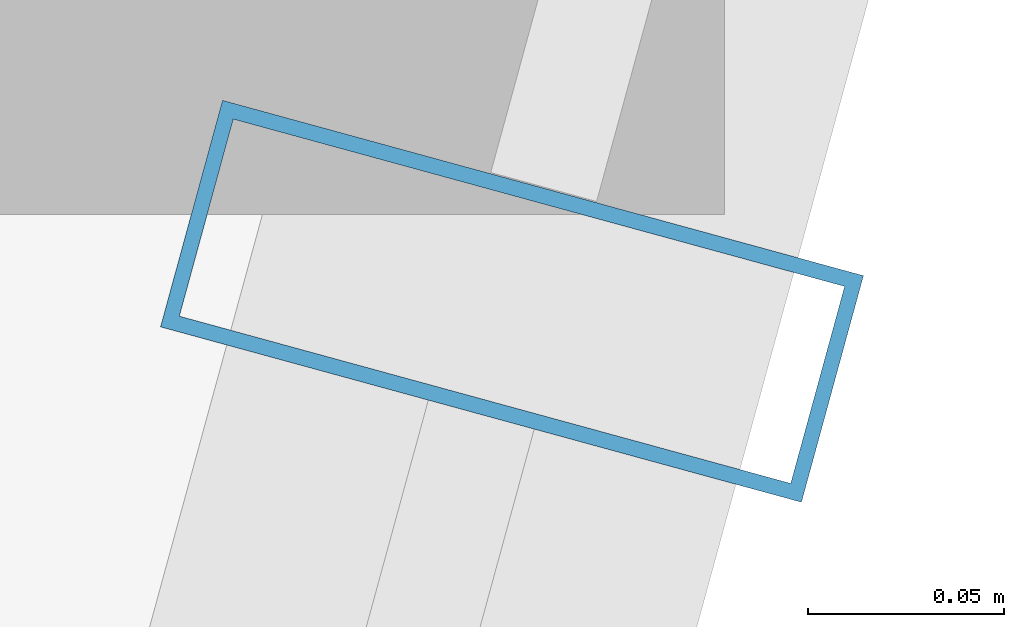
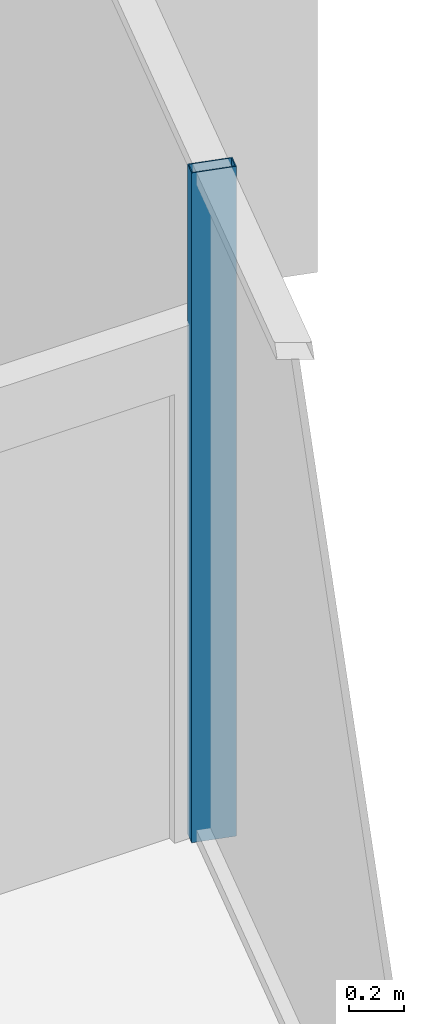
# One storey, part 17 of 39: 1 member, 1 element without a shape of its own.
"""IFC4 building model written with IfcOpenShell, lengths in metres."""

import ifcopenshell
import ifcopenshell.guid

model = None  # the IFC model being written
_history = None  # IfcOwnerHistory: only IFC2X3 demands one
_inside = {}  # id of a spatial element -> (the spatial element, [elements in it])
_under = {}  # id of a project, library or spatial element -> (it, [spatial elements below it])
_declared = {}  # id of a project -> (the project, [libraries it declares])
_typed = {}  # id of a type object -> (the type object, [elements of that type])
_made_of = {}  # id of a material, layer set ... -> (it, [elements and type objects made of it])


def new_model(schema):
    """Start an empty IFC model of exactly this schema.

    Asked for "IFC4X3", IfcOpenShell would pick the latest addendum, in which some entities
    have other attributes; the version numbers below select the first issue.
    IFC2X3 requires an IfcOwnerHistory on every rooted entity: one is made here for all.
    """
    global model, _history
    if schema == "IFC4X3":
        model = ifcopenshell.file(schema_version=(4, 3, 0, 0))
    else:
        model = ifcopenshell.file(schema=schema)
    _inside.clear()
    _under.clear()
    _declared.clear()
    _typed.clear()
    _made_of.clear()
    _history = None
    if model.schema == "IFC2X3":
        org = make("IfcOrganization", Name="unknown")
        user = make(
            "IfcPersonAndOrganization",
            ThePerson=make("IfcPerson", FamilyName="unknown"),
            TheOrganization=org,
        )
        app = make(
            "IfcApplication",
            ApplicationDeveloper=org,
            Version="unknown",
            ApplicationFullName="unknown",
            ApplicationIdentifier="unknown",
        )
        _history = make(
            "IfcOwnerHistory",
            OwningUser=user,
            OwningApplication=app,
            ChangeAction="ADDED",
            CreationDate=0,
        )
    return model


def make(cls, **values):
    """One entity of the class cls with the attributes given. An attribute that is None is left unset."""
    return model.create_entity(
        cls, **{name: value for name, value in values.items() if value is not None}
    )


def rooted(cls, **values):
    """An entity with a GlobalId (a new one), such as an element, a storey or a relation."""
    return make(cls, GlobalId=ifcopenshell.guid.new(), OwnerHistory=_history, **values)


def si_unit(unit_type, name, prefix=None):
    """IfcSIUnit, for example si_unit("LENGTHUNIT", "METRE", prefix="MILLI")."""
    return make("IfcSIUnit", UnitType=unit_type, Prefix=prefix, Name=name)


def assignment(units):
    """IfcUnitAssignment: the units of a project."""
    return None if units is None else make("IfcUnitAssignment", Units=units)


def point(xyz):
    """IfcCartesianPoint."""
    return None if xyz is None else make("IfcCartesianPoint", Coordinates=xyz)


def direction(xyz):
    """IfcDirection."""
    return None if xyz is None else make("IfcDirection", DirectionRatios=xyz)


def frame(location, z_axis=None, x_axis=None):
    """IfcAxis2Placement3D, a coordinate frame: its origin and axes. An axis left out is left unset."""
    return make(
        "IfcAxis2Placement3D",
        Location=point(location),
        Axis=direction(z_axis),
        RefDirection=direction(x_axis),
    )


def frame_2d(location, x_axis=None):
    """IfcAxis2Placement2D, a coordinate frame in the plane: its origin and x axis."""
    return make(
        "IfcAxis2Placement2D", Location=point(location), RefDirection=direction(x_axis)
    )


def origin():
    """The frame at (0, 0, 0) with its axes left unset."""
    return frame((0.0, 0.0, 0.0))


def origin_2d():
    """The frame at (0, 0) in the plane with its x axis left unset."""
    return frame_2d((0.0, 0.0))


def place(relative_to, where):
    """IfcLocalPlacement: puts the frame where relative to a parent placement (None: the world)."""
    return make(
        "IfcLocalPlacement", PlacementRelTo=relative_to, RelativePlacement=where
    )


def context(
    kind, dimensions, precision=None, world=None, true_north=None, identifier=None
):
    """IfcGeometricRepresentationContext, for example the 3D "Model" context."""
    return make(
        "IfcGeometricRepresentationContext",
        ContextIdentifier=identifier,
        ContextType=kind,
        CoordinateSpaceDimension=dimensions,
        Precision=precision,
        WorldCoordinateSystem=world,
        TrueNorth=true_north,
    )


def subcontext(parent, identifier, kind, view, scale=None):
    """IfcGeometricRepresentationSubContext, for example "Body" below "Model"."""
    return make(
        "IfcGeometricRepresentationSubContext",
        ContextIdentifier=identifier,
        ContextType=kind,
        ParentContext=parent,
        TargetScale=scale,
        TargetView=view,
    )


def project(units=None, contexts=None):
    """IfcProject with its units and contexts."""
    return rooted(
        "IfcProject",
        Name="project",
        RepresentationContexts=contexts,
        UnitsInContext=assignment(units),
    )


def spatial(cls, under=None, at=None, **own):
    """A site, building, storey or space (cls), placed at a placement, below another one or the project."""
    s = rooted(cls, ObjectPlacement=at, **own)
    if under is not None:
        _under.setdefault(under.id(), (under, []))[1].append(s)
    return s


def profile(cls, at=None, kind="AREA", **sizes):
    """A parametric profile (cls). Its sizes go by their IFC names, for example OverallWidth=200.0."""
    return make(cls, ProfileType=kind, Position=at, **sizes)


def hollow_rectangle(**sizes):
    """IfcRectangleHollowProfileDef."""
    return profile("IfcRectangleHollowProfileDef", **sizes)


def extrude(swept, where, along, depth):
    """IfcExtrudedAreaSolid: the profile swept, set in the frame where, extruded along a direction by depth."""
    return make(
        "IfcExtrudedAreaSolid",
        SweptArea=swept,
        Position=where,
        ExtrudedDirection=direction(along),
        Depth=depth,
    )


def shape(context_of_items, identifier, shape_type, items):
    """IfcShapeRepresentation: the items that make up one representation, for example the "Body"."""
    return make(
        "IfcShapeRepresentation",
        ContextOfItems=context_of_items,
        RepresentationIdentifier=identifier,
        RepresentationType=shape_type,
        Items=items,
    )


def source(mapping_origin, context_of_items, identifier, shape_type, items):
    """IfcRepresentationMap: a shape defined once, which mapped items show again and again."""
    return make(
        "IfcRepresentationMap",
        MappingOrigin=mapping_origin,
        MappedRepresentation=shape(context_of_items, identifier, shape_type, items),
    )


def transform(
    local_origin,
    x_axis=None,
    y_axis=None,
    z_axis=None,
    scale=None,
    scale2=None,
    scale3=None,
    uniform=True,
):
    """IfcCartesianTransformationOperator3D, or its non-uniform kind. x_axis, y_axis, z_axis: its Axis1, 2, 3."""
    if uniform:
        return make(
            "IfcCartesianTransformationOperator3D",
            Axis1=direction(x_axis),
            Axis2=direction(y_axis),
            LocalOrigin=point(local_origin),
            Scale=scale,
            Axis3=direction(z_axis),
        )
    return make(
        "IfcCartesianTransformationOperator3DnonUniform",
        Axis1=direction(x_axis),
        Axis2=direction(y_axis),
        LocalOrigin=point(local_origin),
        Scale=scale,
        Axis3=direction(z_axis),
        Scale2=scale2,
        Scale3=scale3,
    )


def mapped(mapping_source, mapping_target):
    """IfcMappedItem: shows the shape of a source again, moved by a transform."""
    return make(
        "IfcMappedItem", MappingSource=mapping_source, MappingTarget=mapping_target
    )


def material(Name=None, Category=None):
    """IfcMaterial."""
    return make("IfcMaterial", Name=Name, Category=Category)


def layer(
    of_material, thickness, ventilated=None, Name=None, Category=None, Priority=None
):
    """IfcMaterialLayer: one layer of a wall or slab, of a material (None: an air gap)."""
    return make(
        "IfcMaterialLayer",
        Material=of_material,
        LayerThickness=thickness,
        IsVentilated=ventilated,
        Name=Name,
        Category=Category,
        Priority=Priority,
    )


def layer_set(layers, Name=None):
    """IfcMaterialLayerSet."""
    return make("IfcMaterialLayerSet", MaterialLayers=layers, LayerSetName=Name)


def material_profile(
    of_material, cross_section, Name=None, Category=None, Priority=None
):
    """IfcMaterialProfile: a cross section and its material."""
    return make(
        "IfcMaterialProfile",
        Name=Name,
        Material=of_material,
        Profile=cross_section,
        Priority=Priority,
        Category=Category,
    )


def profile_set(profiles, Name=None, composite=None):
    """IfcMaterialProfileSet."""
    return make(
        "IfcMaterialProfileSet",
        Name=Name,
        MaterialProfiles=profiles,
        CompositeProfile=composite,
    )


def made_of(thing, what):
    """Note that an element or type object is made of a material, layer set ...; save() writes the relation."""
    if what is not None:
        _made_of.setdefault(what.id(), (what, []))[1].append(thing)
    return thing


def type_object(cls, material=None, **own):
    """A type object (cls), such as IfcWallType, which elements share."""
    return made_of(rooted(cls, **own), material)


def element(
    cls,
    number,
    at=None,
    inside=None,
    cuts=None,
    type_object=None,
    material=None,
    context=None,
    identifier="Body",
    shape_type=None,
    held_by="IfcProductDefinitionShape",
    body=None,
    shapes=None,
    **own,
):
    """One element of the class cls, such as IfcWall. Its Tag is "e" and its number.

    at: its placement. inside: the storey or other place that contains it. cuts: it is an
    opening in that element (IfcRelVoidsElement). A single representation is given by context,
    identifier, shape_type and body (its items); several are given by shapes. held_by: the class
    of the entity that holds the representations. save() writes the other relations.
    """
    e = rooted(cls, Tag="e%d" % number, ObjectPlacement=at, **own)
    if body is not None:
        shapes = [shape(context, identifier, shape_type, body)]
    if shapes is not None:
        e.Representation = make(held_by, Representations=shapes)
    if inside is not None:
        _inside.setdefault(inside.id(), (inside, []))[1].append(e)
    if cuts is not None:
        rooted(
            "IfcRelVoidsElement", RelatingBuildingElement=cuts, RelatedOpeningElement=e
        )
    if type_object is not None:
        _typed.setdefault(type_object.id(), (type_object, []))[1].append(e)
    return made_of(e, material)


def aggregate(whole, parts):
    """IfcRelAggregates: a whole, such as a stair, and the parts it consists of."""
    return rooted("IfcRelAggregates", RelatingObject=whole, RelatedObjects=parts)


def save(model, path):
    """Write the relations noted so far, then the file.

    IfcRelAggregates (storeys below a building ...), IfcRelContainedInSpatialStructure (elements
    in a storey), IfcRelDefinesByType, IfcRelAssociatesMaterial and IfcRelDeclares: one each for
    every whole, place, type object, material and project.
    """
    for whole, parts in _under.values():
        aggregate(whole, parts)
    for where, things in _inside.values():
        rooted(
            "IfcRelContainedInSpatialStructure",
            RelatedElements=things,
            RelatingStructure=where,
        )
    for kind, things in _typed.values():
        rooted("IfcRelDefinesByType", RelatedObjects=things, RelatingType=kind)
    for what, things in _made_of.values():
        rooted("IfcRelAssociatesMaterial", RelatedObjects=things, RelatingMaterial=what)
    for by, libraries in _declared.values():
        rooted("IfcRelDeclares", RelatingContext=by, RelatedDefinitions=libraries)
    model.write(path)


model = new_model("IFC4")

# Units and contexts
model_context = context("Model", 3, precision=1e-05, world=origin(), true_north=direction((0.0, 1.0)))
body_context = subcontext(model_context, "Body", "Model", "MODEL_VIEW")
ifc_project = project(units=[si_unit("LENGTHUNIT", "METRE"), si_unit("AREAUNIT", "SQUARE_METRE"), si_unit("VOLUMEUNIT", "CUBIC_METRE"), si_unit("PLANEANGLEUNIT", "RADIAN"), si_unit("MASSUNIT", "GRAM", prefix="KILO")], contexts=[model_context])

# Site, building, storey
site_placement = place(None, origin())
site = spatial("IfcSite", under=ifc_project, at=site_placement, CompositionType="ELEMENT")
building_placement = place(site_placement, origin())
building = spatial("IfcBuilding", under=site, at=building_placement, Name="Veraguas Prism Commons", CompositionType="ELEMENT")
storey_placement = place(building_placement, frame((0.0, 0.0, 73.85009765625)))
storey = spatial("IfcBuildingStorey", under=building, at=storey_placement, Name="L20", CompositionType="ELEMENT", Elevation=73.85009765625)

# Curtain wall, member
ifc_material = material(Name="Anodised aluminium EN AW-6063 T6", Category="aluminium")
ifc_layer = layer(ifc_material, 0.169921875, Name="Unitised Flush Curtain Wall Zone 1", Category="aluminium")
ifc_layer_set = layer_set([ifc_layer], Name="Anodised aluminium EN AW-6063 T6")
curtain_wall_type = type_object("IfcCurtainWallType", Name="Unitised Flush Curtain Wall Zone 1", PredefinedType="NOTDEFINED", material=ifc_layer_set)
curtain_wall_placement = place(storey_placement, origin())
curtain_wall = element("IfcCurtainWall", 1, at=curtain_wall_placement, inside=storey, type_object=curtain_wall_type, Name="Tower Facade Curtain Wall L20-F6", PredefinedType="NOTDEFINED")
ifc_material_profile = material_profile(ifc_material, hollow_rectangle(XDim=0.06005859375, YDim=0.169921875, WallThickness=0.00390625, at=origin_2d()), Name="AL60X170X4")
ifc_profile_set = profile_set([ifc_material_profile], Name="Anodised aluminium EN AW-6063 T6")
member_type = type_object("IfcMemberType", Name="Curtain Wall Mullion Lower AL 60x170x4", PredefinedType="MULLION", material=ifc_profile_set)
shared_shape = source(origin(), body_context, "Body", "SweptSolid", [
    extrude(hollow_rectangle(XDim=0.06005859375, YDim=0.169921875, WallThickness=0.00390625, at=origin_2d()), origin(), (0.0, 0.0, 1.0), 3.0),
])
member_placement = place(storey_placement, frame((44.0478515625, 18.515380859375, 0.0), z_axis=(0.0, 0.0, 1.0), x_axis=(0.26387978384, 0.964555576253, 0.0)))
member = element("IfcMember", 2, at=member_placement, type_object=member_type, Name="CW-Z1 Mullion 3", PredefinedType="MULLION", context=body_context, shape_type="MappedRepresentation", body=[
    mapped(shared_shape, transform((0.0, 0.0, 0.0), scale=1.0)),
])
aggregate(curtain_wall, [member])

save(model, "model.ifc")
